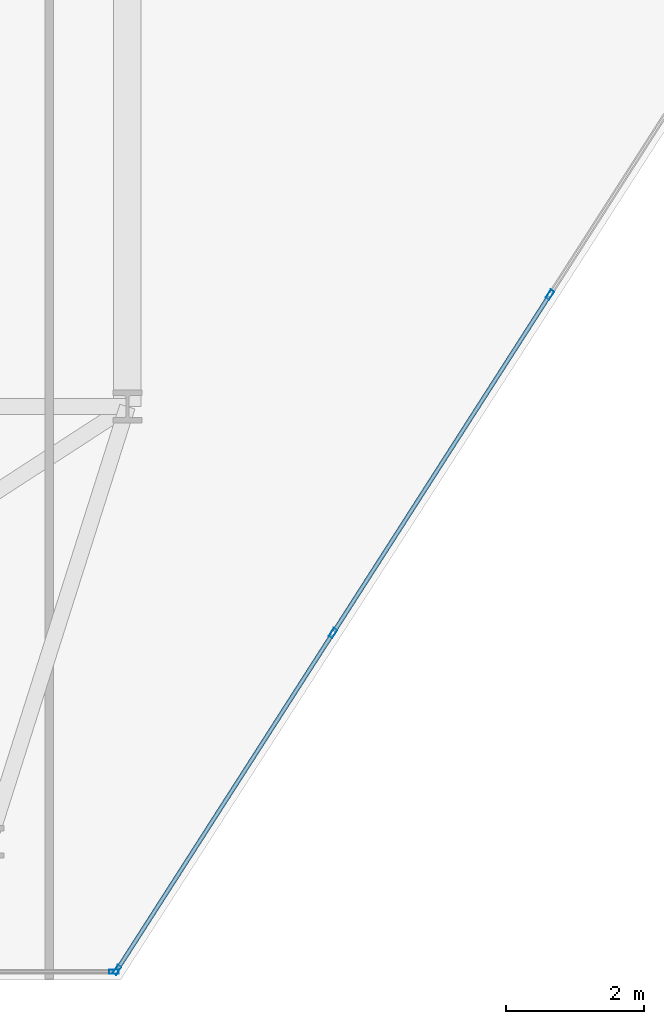
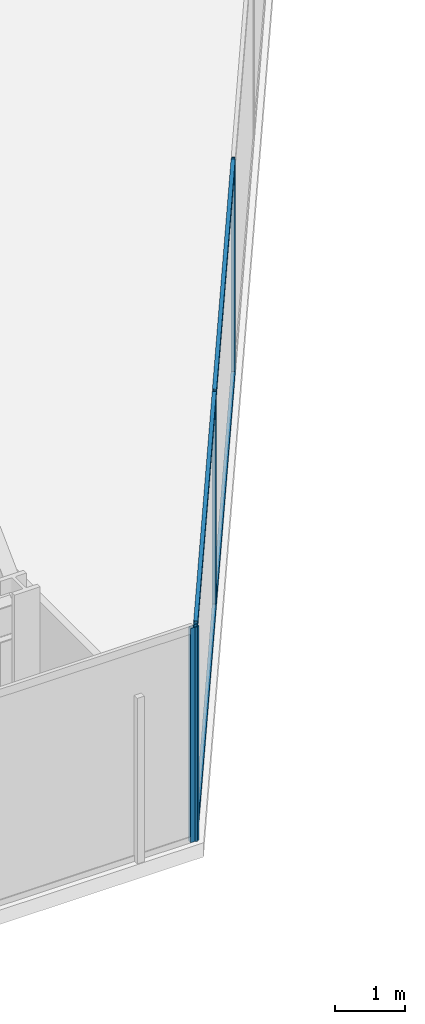
# One storey, part 7 of 26: 8 members, 2 elements without a shape of their own.
"""IFC4 building model written with IfcOpenShell, lengths in metres."""

import ifcopenshell
import ifcopenshell.guid

model = None  # the IFC model being written
_history = None  # IfcOwnerHistory: only IFC2X3 demands one
_inside = {}  # id of a spatial element -> (the spatial element, [elements in it])
_under = {}  # id of a project, library or spatial element -> (it, [spatial elements below it])
_declared = {}  # id of a project -> (the project, [libraries it declares])
_typed = {}  # id of a type object -> (the type object, [elements of that type])
_made_of = {}  # id of a material, layer set ... -> (it, [elements and type objects made of it])


def new_model(schema):
    """Start an empty IFC model of exactly this schema.

    Asked for "IFC4X3", IfcOpenShell would pick the latest addendum, in which some entities
    have other attributes; the version numbers below select the first issue.
    IFC2X3 requires an IfcOwnerHistory on every rooted entity: one is made here for all.
    """
    global model, _history
    if schema == "IFC4X3":
        model = ifcopenshell.file(schema_version=(4, 3, 0, 0))
    else:
        model = ifcopenshell.file(schema=schema)
    _inside.clear()
    _under.clear()
    _declared.clear()
    _typed.clear()
    _made_of.clear()
    _history = None
    if model.schema == "IFC2X3":
        org = make("IfcOrganization", Name="unknown")
        user = make(
            "IfcPersonAndOrganization",
            ThePerson=make("IfcPerson", FamilyName="unknown"),
            TheOrganization=org,
        )
        app = make(
            "IfcApplication",
            ApplicationDeveloper=org,
            Version="unknown",
            ApplicationFullName="unknown",
            ApplicationIdentifier="unknown",
        )
        _history = make(
            "IfcOwnerHistory",
            OwningUser=user,
            OwningApplication=app,
            ChangeAction="ADDED",
            CreationDate=0,
        )
    return model


def make(cls, **values):
    """One entity of the class cls with the attributes given. An attribute that is None is left unset."""
    return model.create_entity(
        cls, **{name: value for name, value in values.items() if value is not None}
    )


def rooted(cls, **values):
    """An entity with a GlobalId (a new one), such as an element, a storey or a relation."""
    return make(cls, GlobalId=ifcopenshell.guid.new(), OwnerHistory=_history, **values)


def si_unit(unit_type, name, prefix=None):
    """IfcSIUnit, for example si_unit("LENGTHUNIT", "METRE", prefix="MILLI")."""
    return make("IfcSIUnit", UnitType=unit_type, Prefix=prefix, Name=name)


def assignment(units):
    """IfcUnitAssignment: the units of a project."""
    return None if units is None else make("IfcUnitAssignment", Units=units)


def point(xyz):
    """IfcCartesianPoint."""
    return None if xyz is None else make("IfcCartesianPoint", Coordinates=xyz)


def direction(xyz):
    """IfcDirection."""
    return None if xyz is None else make("IfcDirection", DirectionRatios=xyz)


def frame(location, z_axis=None, x_axis=None):
    """IfcAxis2Placement3D, a coordinate frame: its origin and axes. An axis left out is left unset."""
    return make(
        "IfcAxis2Placement3D",
        Location=point(location),
        Axis=direction(z_axis),
        RefDirection=direction(x_axis),
    )


def frame_2d(location, x_axis=None):
    """IfcAxis2Placement2D, a coordinate frame in the plane: its origin and x axis."""
    return make(
        "IfcAxis2Placement2D", Location=point(location), RefDirection=direction(x_axis)
    )


def origin():
    """The frame at (0, 0, 0) with its axes left unset."""
    return frame((0.0, 0.0, 0.0))


def origin_2d():
    """The frame at (0, 0) in the plane with its x axis left unset."""
    return frame_2d((0.0, 0.0))


def place(relative_to, where):
    """IfcLocalPlacement: puts the frame where relative to a parent placement (None: the world)."""
    return make(
        "IfcLocalPlacement", PlacementRelTo=relative_to, RelativePlacement=where
    )


def context(
    kind, dimensions, precision=None, world=None, true_north=None, identifier=None
):
    """IfcGeometricRepresentationContext, for example the 3D "Model" context."""
    return make(
        "IfcGeometricRepresentationContext",
        ContextIdentifier=identifier,
        ContextType=kind,
        CoordinateSpaceDimension=dimensions,
        Precision=precision,
        WorldCoordinateSystem=world,
        TrueNorth=true_north,
    )


def subcontext(parent, identifier, kind, view, scale=None):
    """IfcGeometricRepresentationSubContext, for example "Body" below "Model"."""
    return make(
        "IfcGeometricRepresentationSubContext",
        ContextIdentifier=identifier,
        ContextType=kind,
        ParentContext=parent,
        TargetScale=scale,
        TargetView=view,
    )


def project(units=None, contexts=None):
    """IfcProject with its units and contexts."""
    return rooted(
        "IfcProject",
        Name="project",
        RepresentationContexts=contexts,
        UnitsInContext=assignment(units),
    )


def spatial(cls, under=None, at=None, **own):
    """A site, building, storey or space (cls), placed at a placement, below another one or the project."""
    s = rooted(cls, ObjectPlacement=at, **own)
    if under is not None:
        _under.setdefault(under.id(), (under, []))[1].append(s)
    return s


def profile(cls, at=None, kind="AREA", **sizes):
    """A parametric profile (cls). Its sizes go by their IFC names, for example OverallWidth=200.0."""
    return make(cls, ProfileType=kind, Position=at, **sizes)


def hollow_rectangle(**sizes):
    """IfcRectangleHollowProfileDef."""
    return profile("IfcRectangleHollowProfileDef", **sizes)


def extrude(swept, where, along, depth):
    """IfcExtrudedAreaSolid: the profile swept, set in the frame where, extruded along a direction by depth."""
    return make(
        "IfcExtrudedAreaSolid",
        SweptArea=swept,
        Position=where,
        ExtrudedDirection=direction(along),
        Depth=depth,
    )


def shape(context_of_items, identifier, shape_type, items):
    """IfcShapeRepresentation: the items that make up one representation, for example the "Body"."""
    return make(
        "IfcShapeRepresentation",
        ContextOfItems=context_of_items,
        RepresentationIdentifier=identifier,
        RepresentationType=shape_type,
        Items=items,
    )


def material(Name=None, Category=None):
    """IfcMaterial."""
    return make("IfcMaterial", Name=Name, Category=Category)


def layer(
    of_material, thickness, ventilated=None, Name=None, Category=None, Priority=None
):
    """IfcMaterialLayer: one layer of a wall or slab, of a material (None: an air gap)."""
    return make(
        "IfcMaterialLayer",
        Material=of_material,
        LayerThickness=thickness,
        IsVentilated=ventilated,
        Name=Name,
        Category=Category,
        Priority=Priority,
    )


def layer_set(layers, Name=None):
    """IfcMaterialLayerSet."""
    return make("IfcMaterialLayerSet", MaterialLayers=layers, LayerSetName=Name)


def material_profile(
    of_material, cross_section, Name=None, Category=None, Priority=None
):
    """IfcMaterialProfile: a cross section and its material."""
    return make(
        "IfcMaterialProfile",
        Name=Name,
        Material=of_material,
        Profile=cross_section,
        Priority=Priority,
        Category=Category,
    )


def profile_set(profiles, Name=None, composite=None):
    """IfcMaterialProfileSet."""
    return make(
        "IfcMaterialProfileSet",
        Name=Name,
        MaterialProfiles=profiles,
        CompositeProfile=composite,
    )


def made_of(thing, what):
    """Note that an element or type object is made of a material, layer set ...; save() writes the relation."""
    if what is not None:
        _made_of.setdefault(what.id(), (what, []))[1].append(thing)
    return thing


def type_object(cls, material=None, **own):
    """A type object (cls), such as IfcWallType, which elements share."""
    return made_of(rooted(cls, **own), material)


def element(
    cls,
    number,
    at=None,
    inside=None,
    cuts=None,
    type_object=None,
    material=None,
    context=None,
    identifier="Body",
    shape_type=None,
    held_by="IfcProductDefinitionShape",
    body=None,
    shapes=None,
    **own,
):
    """One element of the class cls, such as IfcWall. Its Tag is "e" and its number.

    at: its placement. inside: the storey or other place that contains it. cuts: it is an
    opening in that element (IfcRelVoidsElement). A single representation is given by context,
    identifier, shape_type and body (its items); several are given by shapes. held_by: the class
    of the entity that holds the representations. save() writes the other relations.
    """
    e = rooted(cls, Tag="e%d" % number, ObjectPlacement=at, **own)
    if body is not None:
        shapes = [shape(context, identifier, shape_type, body)]
    if shapes is not None:
        e.Representation = make(held_by, Representations=shapes)
    if inside is not None:
        _inside.setdefault(inside.id(), (inside, []))[1].append(e)
    if cuts is not None:
        rooted(
            "IfcRelVoidsElement", RelatingBuildingElement=cuts, RelatedOpeningElement=e
        )
    if type_object is not None:
        _typed.setdefault(type_object.id(), (type_object, []))[1].append(e)
    return made_of(e, material)


def aggregate(whole, parts):
    """IfcRelAggregates: a whole, such as a stair, and the parts it consists of."""
    return rooted("IfcRelAggregates", RelatingObject=whole, RelatedObjects=parts)


def save(model, path):
    """Write the relations noted so far, then the file.

    IfcRelAggregates (storeys below a building ...), IfcRelContainedInSpatialStructure (elements
    in a storey), IfcRelDefinesByType, IfcRelAssociatesMaterial and IfcRelDeclares: one each for
    every whole, place, type object, material and project.
    """
    for whole, parts in _under.values():
        aggregate(whole, parts)
    for where, things in _inside.values():
        rooted(
            "IfcRelContainedInSpatialStructure",
            RelatedElements=things,
            RelatingStructure=where,
        )
    for kind, things in _typed.values():
        rooted("IfcRelDefinesByType", RelatedObjects=things, RelatingType=kind)
    for what, things in _made_of.values():
        rooted("IfcRelAssociatesMaterial", RelatedObjects=things, RelatingMaterial=what)
    for by, libraries in _declared.values():
        rooted("IfcRelDeclares", RelatingContext=by, RelatedDefinitions=libraries)
    model.write(path)


model = new_model("IFC4")

# Units and contexts
model_context = context("Model", 3, precision=1e-05, world=origin(), true_north=direction((0.0, 1.0)))
body_context = subcontext(model_context, "Body", "Model", "MODEL_VIEW")
ifc_project = project(units=[si_unit("LENGTHUNIT", "METRE"), si_unit("AREAUNIT", "SQUARE_METRE"), si_unit("VOLUMEUNIT", "CUBIC_METRE"), si_unit("PLANEANGLEUNIT", "RADIAN"), si_unit("MASSUNIT", "GRAM", prefix="KILO")], contexts=[model_context])

# Site, building, storey
site_placement = place(None, origin())
site = spatial("IfcSite", under=ifc_project, at=site_placement, CompositionType="ELEMENT")
building_placement = place(site_placement, origin())
building = spatial("IfcBuilding", under=site, at=building_placement, Name="Kravanh Interchange Tower", CompositionType="ELEMENT")
storey_placement = place(building_placement, frame((0.0, 0.0, 124.0)))
storey = spatial("IfcBuildingStorey", under=building, at=storey_placement, Name="L29", CompositionType="ELEMENT", Elevation=124.0)

# Curtain wall, members
ifc_material_1 = material(Name="Anodised Bronze Aluminium", Category="aluminium")
ifc_layer = layer(ifc_material_1, 0.179931640625)
ifc_layer_set = layer_set([ifc_layer], Name="Unitised Curtain Wall System CW-Z2 Mid Office")
curtain_wall_type = type_object("IfcCurtainWallType", Name="Unitised Curtain Wall System CW-Z2 Mid Office", PredefinedType="NOTDEFINED", material=ifc_layer_set)
curtain_wall_1_placement = place(storey_placement, origin())
curtain_wall_1 = element("IfcCurtainWall", 1, at=curtain_wall_1_placement, inside=storey, type_object=curtain_wall_type, Name="L29 Unitised Curtain Wall CW-L29-05", PredefinedType="NOTDEFINED")
ifc_material_2 = material(Name="Anodised Bronze Aluminium", Category="aluminium")
ifc_material_profile_1 = material_profile(ifc_material_2, hollow_rectangle(XDim=0.06005859375, YDim=0.139892578125, WallThickness=0.00390625, at=origin_2d()), Name="ALU60X140X4")
ifc_profile_set_1 = profile_set([ifc_material_profile_1], Name="Anodised Bronze Aluminium")
member_type_1 = type_object("IfcMemberType", Name="Curtain Wall Mullion ALU60X140X4 Bronze", PredefinedType="MULLION", material=ifc_profile_set_1)
member_1_placement = place(storey_placement, frame((33.317138671875, 16.12109375, 0.0), z_axis=(0.0, 0.0, 1.0), x_axis=(0.841879939476, -0.539664865919, 0.0)))
member_1 = element("IfcMember", 2, at=member_1_placement, type_object=member_type_1, Name="CW-Z2 mullion 3", PredefinedType="MULLION", context=body_context, shape_type="SweptSolid", body=[
    extrude(hollow_rectangle(XDim=0.06005859375, YDim=0.139892578125, WallThickness=0.00390625, at=origin_2d()), origin(), (0.0, 0.0, 1.0), 3.75),
])
member_2_placement = place(storey_placement, frame((30.17578125, 11.220703125, 0.0), z_axis=(0.0, 0.0, 1.0), x_axis=(0.841879939476, -0.539664865919, 0.0)))
member_2 = element("IfcMember", 3, at=member_2_placement, type_object=member_type_1, Name="CW-Z2 mullion 4", PredefinedType="MULLION", context=body_context, shape_type="SweptSolid", body=[
    extrude(hollow_rectangle(XDim=0.06005859375, YDim=0.139892578125, WallThickness=0.00390625, at=origin_2d()), origin(), (0.0, 0.0, 1.0), 3.75),
])
member_3_placement = place(storey_placement, frame((27.050537109375, 6.34521484375, 0.0), z_axis=(0.0, 0.0, 1.0), x_axis=(0.841879939476, -0.539664865919, 0.0)))
member_3 = element("IfcMember", 4, at=member_3_placement, type_object=member_type_1, Name="CW-Z2 mullion 5", PredefinedType="MULLION", context=body_context, shape_type="SweptSolid", body=[
    extrude(hollow_rectangle(XDim=0.06005859375, YDim=0.139892578125, WallThickness=0.00390625, at=origin_2d()), origin(), (0.0, 0.0, 1.0), 3.75),
])

# Curtain wall, member
curtain_wall_2_placement = place(storey_placement, origin())
curtain_wall_2 = element("IfcCurtainWall", 5, at=curtain_wall_2_placement, inside=storey, type_object=curtain_wall_type, Name="L29 Unitised Curtain Wall CW-L29-06", PredefinedType="NOTDEFINED")
member_4_placement = place(storey_placement, frame((27.00439453125, 6.320068359375, 0.0), z_axis=(0.0, 0.0, 1.0), x_axis=(0.0, -1.0, 0.0)))
member_4 = element("IfcMember", 6, at=member_4_placement, type_object=member_type_1, Name="CW-Z2 mullion 1", PredefinedType="MULLION", context=body_context, shape_type="SweptSolid", body=[
    extrude(hollow_rectangle(XDim=0.06005859375, YDim=0.139892578125, WallThickness=0.00390625, at=origin_2d()), origin(), (0.0, 0.0, 1.0), 3.75),
])
aggregate(curtain_wall_2, [member_4])

# Member
ifc_material_3 = material(Name="Anodised Bronze Aluminium", Category="aluminium")
ifc_material_profile_2 = material_profile(ifc_material_3, hollow_rectangle(XDim=0.06005859375, YDim=0.139892578125, WallThickness=0.00390625, at=origin_2d()), Name="ALU60X140X4")
ifc_profile_set_2 = profile_set([ifc_material_profile_2], Name="Anodised Bronze Aluminium")
member_type_2 = type_object("IfcMemberType", Name="Curtain Wall Transom ALU60X140X4 Bronze", PredefinedType="USERDEFINED", material=ifc_profile_set_2)
member_5_placement = place(storey_placement, frame((33.301025390625, 16.095947265625, 0.030029296875), z_axis=(-0.539677666788, -0.84187173368, 0.0), x_axis=(0.84187173368, -0.539677666788, 0.0)))
member_5 = element("IfcMember", 7, at=member_5_placement, type_object=member_type_2, Name="CW-Z2 transom 3.1", ObjectType="TRANSOM", PredefinedType="USERDEFINED", context=body_context, shape_type="SweptSolid", body=[
    extrude(hollow_rectangle(XDim=0.06005859375, YDim=0.139892578125, WallThickness=0.00390625, at=origin_2d()), origin(), (0.0, 0.0, 1.0), 5.760986328125),
])

member_6_placement = place(storey_placement, frame((33.301025390625, 16.095947265625, 3.719970703125), z_axis=(-0.539677666788, -0.84187173368, 0.0), x_axis=(0.84187173368, -0.539677666788, 0.0)))
member_6 = element("IfcMember", 8, at=member_6_placement, type_object=member_type_2, Name="CW-Z2 transom 3.2", ObjectType="TRANSOM", PredefinedType="USERDEFINED", context=body_context, shape_type="SweptSolid", body=[
    extrude(hollow_rectangle(XDim=0.06005859375, YDim=0.139892578125, WallThickness=0.00390625, at=origin_2d()), origin(), (0.0, 0.0, 1.0), 5.760986328125),
])

member_7_placement = place(storey_placement, frame((30.15966796875, 11.1953125, 0.030029296875), z_axis=(-0.53966766312, -0.841878146398, 0.0), x_axis=(0.841878146398, -0.53966766312, 0.0)))
member_7 = element("IfcMember", 9, at=member_7_placement, type_object=member_type_2, Name="CW-Z2 transom 4.1", ObjectType="TRANSOM", PredefinedType="USERDEFINED", context=body_context, shape_type="SweptSolid", body=[
    extrude(hollow_rectangle(XDim=0.06005859375, YDim=0.139892578125, WallThickness=0.00390625, at=origin_2d()), origin(), (0.0, 0.0, 1.0), 5.73095703125),
])

member_8_placement = place(storey_placement, frame((30.15966796875, 11.1953125, 3.719970703125), z_axis=(-0.53966766312, -0.841878146398, 0.0), x_axis=(0.841878146398, -0.53966766312, 0.0)))
member_8 = element("IfcMember", 10, at=member_8_placement, type_object=member_type_2, Name="CW-Z2 transom 4.2", ObjectType="TRANSOM", PredefinedType="USERDEFINED", context=body_context, shape_type="SweptSolid", body=[
    extrude(hollow_rectangle(XDim=0.06005859375, YDim=0.139892578125, WallThickness=0.00390625, at=origin_2d()), origin(), (0.0, 0.0, 1.0), 5.73095703125),
])

aggregate(curtain_wall_1, [member_1, member_2, member_3, member_5, member_6, member_7, member_8])

save(model, "model.ifc")
